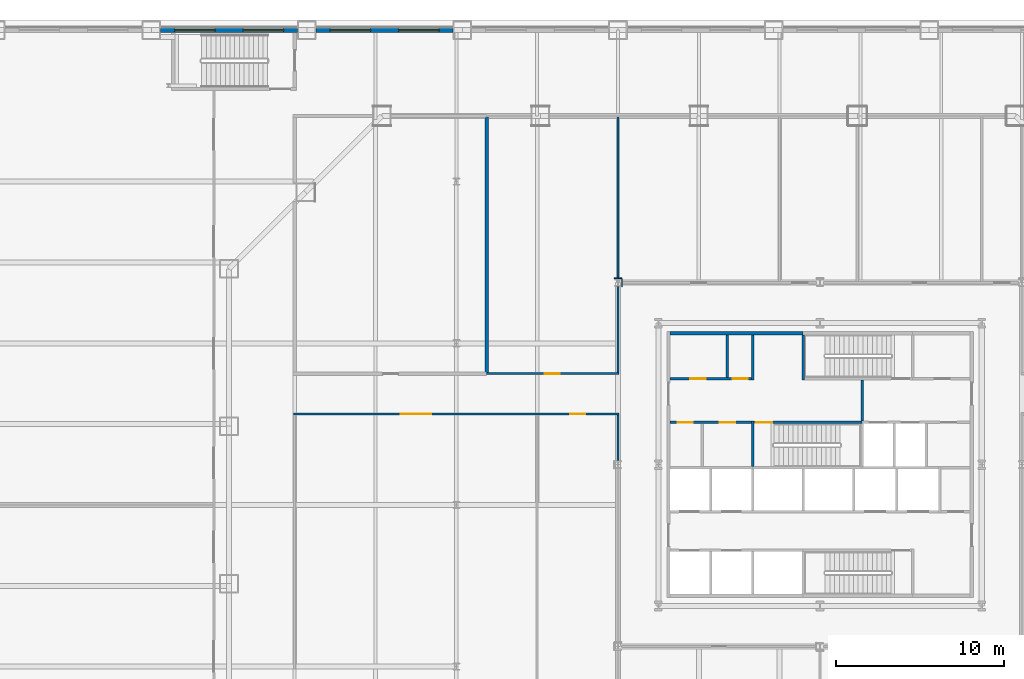
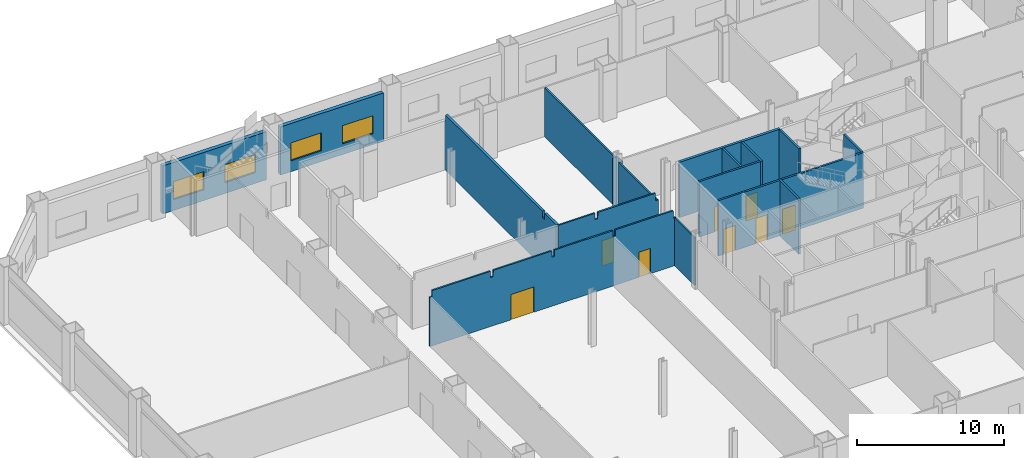
# One storey, part 15 of 26: 19 walls, 8 doors, 4 windows, 12 openings.
"""IFC4 building model written with IfcOpenShell, lengths in metres."""

from ifc_helpers import new_model, si_unit, direction, frame, frame_2d, origin, place, context, subcontext, project, spatial, polyline, rectangle, outline, extrude, material, layer, layer_set, type_object, element, fill, save


model = new_model("IFC4")

# Units and contexts
model_context = context("Model", 3, precision=1e-05, world=origin(), true_north=direction((0.0, 1.0)))
body_context = subcontext(model_context, "Body", "Model", "MODEL_VIEW")
ifc_project = project(units=[si_unit("LENGTHUNIT", "METRE"), si_unit("AREAUNIT", "SQUARE_METRE"), si_unit("VOLUMEUNIT", "CUBIC_METRE"), si_unit("PLANEANGLEUNIT", "RADIAN"), si_unit("MASSUNIT", "GRAM", prefix="KILO")], contexts=[model_context])

# Site, building, storey
site_placement = place(None, origin())
site = spatial("IfcSite", under=ifc_project, at=site_placement, CompositionType="ELEMENT")
building_placement = place(site_placement, origin())
building = spatial("IfcBuilding", under=site, at=building_placement, Name="Cairn Pilgrim Tower", CompositionType="ELEMENT")
storey_placement = place(building_placement, frame((0.0, 0.0, 21.0)))
storey = spatial("IfcBuildingStorey", under=building, at=storey_placement, Name="L03", CompositionType="ELEMENT", Elevation=21.0)

# Wall
ifc_material_1 = material(Name="Concrete C32/40", Category="concrete")
ifc_layer_1 = layer(ifc_material_1, 0.199951171875)
ifc_layer_set_1 = layer_set([ifc_layer_1], Name="CORE OUTER WALL 200 EI 120")
wall_type_1 = type_object("IfcWallType", Name="CORE OUTER WALL 200 EI 120", PredefinedType="SOLIDWALL", material=ifc_layer_set_1)
wall_1_placement = place(storey_placement, frame((-1.699951171875, 10.199951171875, 0.0), z_axis=(0.0, 0.0, 1.0), x_axis=(1.0, 0.0, 0.0)))
element("IfcWall", 1, at=wall_1_placement, inside=storey, type_object=wall_type_1, Name="CW:L03:H11-1", PredefinedType="SOLIDWALL", context=body_context, shape_type="SweptSolid", body=[
    extrude(rectangle(XDim=7.89990234375, YDim=0.199951171875, at=frame_2d((3.949951171875, 0.0))), origin(), (0.0, 0.0, 1.0), 4.60009765625),
])

# Wall, openings, doors
ifc_layer_2 = layer(ifc_material_1, 0.14990234375)
ifc_layer_set_2 = layer_set([ifc_layer_2], Name="CORE PARTITION 150 EI 60")
wall_type_2 = type_object("IfcWallType", Name="CORE PARTITION 150 EI 60", PredefinedType="PARTITIONING", material=ifc_layer_set_2)
wall_2_placement = place(storey_placement, frame((-1.699951171875, 4.89990234375, 0.0), z_axis=(0.0, 0.0, 1.0), x_axis=(1.0, 0.0, 0.0)))
wall_2 = element("IfcWall", 2, at=wall_2_placement, inside=storey, type_object=wall_type_2, Name="CW:L03:H07", PredefinedType="PARTITIONING", context=body_context, shape_type="SweptSolid", body=[
    extrude(rectangle(XDim=4.824951171875, YDim=0.14990234375, at=frame_2d((2.41259765625, 0.0))), origin(), (0.0, 0.0, 1.0), 4.60009765625),
])
opening_1_placement = place(wall_2_placement, frame((0.449951171875, 0.0, 0.0)))
opening_1 = element("IfcOpeningElement", 3, at=opening_1_placement, cuts=wall_2, Name="Opening RD-R3W1", PredefinedType="OPENING", context=body_context, shape_type="SweptSolid", body=[
    extrude(rectangle(XDim=0.89990234375, YDim=2.10009765625, at=frame_2d((0.449951171875, 1.050048828125))), frame((0.0, 0.0849609375, 0.0), z_axis=(0.0, -1.0, 0.0), x_axis=(1.0, 0.0, 0.0)), (0.0, 0.0, 1.0), 0.169921875),
])
opening_2_placement = place(wall_2_placement, frame((2.949951171875, 0.0, 0.0)))
opening_2 = element("IfcOpeningElement", 4, at=opening_2_placement, cuts=wall_2, Name="Opening RD-R3W2", PredefinedType="OPENING", context=body_context, shape_type="SweptSolid", body=[
    extrude(rectangle(XDim=0.89990234375, YDim=2.10009765625, at=frame_2d((0.449951171875, 1.050048828125))), frame((0.0, 0.0849609375, 0.0), z_axis=(0.0, -1.0, 0.0), x_axis=(1.0, 0.0, 0.0)), (0.0, 0.0, 1.0), 0.169921875),
])
ifc_material_2 = material(Name="Painted steel", Category="steel")
door_type_1 = type_object("IfcDoorType", Name="SERVICE ROOM DOOR 900x2100", OperationType="SINGLE_SWING_LEFT", PredefinedType="DOOR", material=ifc_material_2)
door_1_placement = place(opening_1_placement, origin())
door_1 = element("IfcDoor", 5, at=door_1_placement, inside=storey, type_object=door_type_1, Name="RD-R3W1", OperationType="SINGLE_SWING_LEFT", OverallHeight=2.10009765625, OverallWidth=0.89990234375, PredefinedType="DOOR", context=body_context, shape_type="SweptSolid", body=[
    extrude(rectangle(XDim=0.89990234375, YDim=2.10009765625, at=frame_2d((0.449951171875, 1.050048828125))), frame((0.0, 0.02490234375, 0.0), z_axis=(0.0, -1.0, 0.0), x_axis=(1.0, 0.0, 0.0)), (0.0, 0.0, 1.0), 0.050048828125),
])
fill(opening_1, door_1)
door_2_placement = place(opening_2_placement, origin())
door_2 = element("IfcDoor", 6, at=door_2_placement, inside=storey, type_object=door_type_1, Name="RD-R3W2", OperationType="SINGLE_SWING_RIGHT", OverallHeight=2.10009765625, OverallWidth=0.89990234375, PredefinedType="DOOR", context=body_context, shape_type="SweptSolid", body=[
    extrude(rectangle(XDim=0.89990234375, YDim=2.10009765625, at=frame_2d((0.449951171875, 1.050048828125))), frame((0.0, 0.02490234375, 0.0), z_axis=(0.0, -1.0, 0.0), x_axis=(1.0, 0.0, 0.0)), (0.0, 0.0, 1.0), 0.050048828125),
])
fill(opening_2, door_2)

wall_3_placement = place(storey_placement, frame((-1.699951171875, 7.5, 0.0), z_axis=(0.0, 0.0, 1.0), x_axis=(1.0, 0.0, 0.0)))
wall_3 = element("IfcWall", 7, at=wall_3_placement, inside=storey, type_object=wall_type_2, Name="CW:L03:H09", PredefinedType="PARTITIONING", context=body_context, shape_type="SweptSolid", body=[
    extrude(rectangle(XDim=4.824951171875, YDim=0.14990234375, at=frame_2d((2.41259765625, 0.0))), origin(), (0.0, 0.0, 1.0), 4.60009765625),
])
opening_3_placement = place(wall_3_placement, frame((1.199951171875, 0.0, 0.0)))
opening_3 = element("IfcOpeningElement", 8, at=opening_3_placement, cuts=wall_3, Name="Opening RD-R4W1", PredefinedType="OPENING", context=body_context, shape_type="SweptSolid", body=[
    extrude(rectangle(XDim=0.89990234375, YDim=2.10009765625, at=frame_2d((0.449951171875, 1.050048828125))), frame((0.0, 0.0849609375, 0.0), z_axis=(0.0, -1.0, 0.0), x_axis=(1.0, 0.0, 0.0)), (0.0, 0.0, 1.0), 0.169921875),
])
opening_4_placement = place(wall_3_placement, frame((3.699951171875, 0.0, 0.0)))
opening_4 = element("IfcOpeningElement", 9, at=opening_4_placement, cuts=wall_3, Name="Opening RD-R4W2", PredefinedType="OPENING", context=body_context, shape_type="SweptSolid", body=[
    extrude(rectangle(XDim=0.89990234375, YDim=2.10009765625, at=frame_2d((0.449951171875, 1.050048828125))), frame((0.0, 0.0849609375, 0.0), z_axis=(0.0, -1.0, 0.0), x_axis=(1.0, 0.0, 0.0)), (0.0, 0.0, 1.0), 0.169921875),
])
door_3_placement = place(opening_3_placement, origin())
door_3 = element("IfcDoor", 10, at=door_3_placement, inside=storey, type_object=door_type_1, Name="RD-R4W1", OperationType="SINGLE_SWING_LEFT", OverallHeight=2.10009765625, OverallWidth=0.89990234375, PredefinedType="DOOR", context=body_context, shape_type="SweptSolid", body=[
    extrude(rectangle(XDim=0.89990234375, YDim=2.10009765625, at=frame_2d((0.449951171875, 1.050048828125))), frame((0.0, 0.02490234375, 0.0), z_axis=(0.0, -1.0, 0.0), x_axis=(1.0, 0.0, 0.0)), (0.0, 0.0, 1.0), 0.050048828125),
])
fill(opening_3, door_3)
door_4_placement = place(opening_4_placement, origin())
door_4 = element("IfcDoor", 11, at=door_4_placement, inside=storey, type_object=door_type_1, Name="RD-R4W2", OperationType="SINGLE_SWING_RIGHT", OverallHeight=2.10009765625, OverallWidth=0.89990234375, PredefinedType="DOOR", context=body_context, shape_type="SweptSolid", body=[
    extrude(rectangle(XDim=0.89990234375, YDim=2.10009765625, at=frame_2d((0.449951171875, 1.050048828125))), frame((0.0, 0.02490234375, 0.0), z_axis=(0.0, -1.0, 0.0), x_axis=(1.0, 0.0, 0.0)), (0.0, 0.0, 1.0), 0.050048828125),
])
fill(opening_4, door_4)

# Walls
wall_4_placement = place(storey_placement, frame((1.699951171875, 7.574951171875, 0.0), z_axis=(0.0, 0.0, 1.0), x_axis=(0.0, 1.0, 0.0)))
element("IfcWall", 12, at=wall_4_placement, inside=storey, type_object=wall_type_2, Name="CW:L03:V16", PredefinedType="PARTITIONING", context=body_context, shape_type="SweptSolid", body=[
    extrude(rectangle(XDim=2.525146484375, YDim=0.14990234375, at=frame_2d((1.2626953125, 0.0))), origin(), (0.0, 0.0, 1.0), 4.60009765625),
])
wall_5_placement = place(storey_placement, frame((3.199951171875, 7.425048828125, 0.0), z_axis=(0.0, 0.0, 1.0), x_axis=(0.0, 1.0, 0.0)))
element("IfcWall", 13, at=wall_5_placement, inside=storey, type_object=wall_type_2, Name="CW:L03:V20", PredefinedType="PARTITIONING", context=body_context, shape_type="SweptSolid", body=[
    extrude(rectangle(XDim=2.675048828125, YDim=0.14990234375, at=frame_2d((1.33740234375, 0.0))), origin(), (0.0, 0.0, 1.0), 4.60009765625),
])
ifc_layer_3 = layer(ifc_material_1, 0.14990234375)
ifc_layer_set_3 = layer_set([ifc_layer_3], Name="CORE SHAFT WALL 150 EI 120")
wall_type_3 = type_object("IfcWallType", Name="CORE SHAFT WALL 150 EI 120", PredefinedType="SOLIDWALL", material=ifc_layer_set_3)
wall_6_placement = place(storey_placement, frame((9.699951171875, 4.97509765625, 0.0), z_axis=(0.0, 0.0, 1.0), x_axis=(0.0, 1.0, 0.0)))
element("IfcWall", 14, at=wall_6_placement, inside=storey, type_object=wall_type_3, Name="CW:L03:V26", PredefinedType="SOLIDWALL", context=body_context, shape_type="SweptSolid", body=[
    extrude(rectangle(XDim=2.449951171875, YDim=0.14990234375, at=frame_2d((1.22509765625, 0.0))), origin(), (0.0, 0.0, 1.0), 4.60009765625),
])
ifc_material_3 = material(Name="Gypsum partition")
ifc_layer_4 = layer(ifc_material_3, 0.125)
ifc_layer_set_4 = layer_set([ifc_layer_4], Name="PARTITION 125 DRYWALL EI 60")
wall_type_4 = type_object("IfcWallType", Name="PARTITION 125 DRYWALL EI 60", PredefinedType="PARTITIONING", material=ifc_layer_set_4)
wall_7_placement = place(storey_placement, frame((-4.800048828125, 2.636962890625, 0.0), z_axis=(0.0, 0.0, 1.0), x_axis=(0.0, 1.0, 0.0)))
element("IfcWall", 15, at=wall_7_placement, inside=storey, type_object=wall_type_4, Name="PARTITION W037", PredefinedType="PARTITIONING", context=body_context, shape_type="SweptSolid", body=[
    extrude(rectangle(XDim=2.700439453125, YDim=0.125, at=frame_2d((1.35009765625, 0.0))), origin(), (0.0, 0.0, 1.0), 3.97998046875),
])

# Wall, openings, doors
wall_8_placement = place(storey_placement, frame((-24.0625, 5.39990234375, 0.0), z_axis=(0.0, 0.0, 1.0), x_axis=(1.0, 0.0, 0.0)))
wall_8 = element("IfcWall", 16, at=wall_8_placement, inside=storey, type_object=wall_type_4, Name="PARTITION W043", PredefinedType="PARTITIONING", context=body_context, shape_type="SweptSolid", body=[
    extrude(outline(polyline([(0.0, 0.0), (19.324951171875, 0.0), (19.324951171875, 3.97998046875), (19.112548828125, 3.97998046875), (19.110595703125, 4.60009765625), (14.5625, 4.60009765625), (14.560546875, 4.080078125), (14.362548828125, 4.080078125), (14.360595703125, 4.60009765625), (9.762451171875, 4.60009765625), (9.760498046875, 4.080078125), (9.5625, 4.080078125), (9.560546875, 4.60009765625), (4.96240234375, 4.60009765625), (4.96044921875, 4.080078125), (4.762451171875, 4.080078125), (4.760498046875, 4.60009765625), (0.16259765625, 4.60009765625), (0.160400390625, 4.080078125), (0.0, 4.080078125), (0.0, 0.0)])), frame((0.0, 0.0625, 0.0), z_axis=(0.0, -1.0, 0.0), x_axis=(1.0, 0.0, 0.0)), (0.0, 0.0, 1.0), 0.125),
])
opening_5_placement = place(wall_8_placement, frame((6.362548828125, 0.0, 0.0)))
opening_5 = element("IfcOpeningElement", 17, at=opening_5_placement, cuts=wall_8, Name="Opening 0303", PredefinedType="OPENING", context=body_context, shape_type="SweptSolid", body=[
    extrude(rectangle(XDim=1.800048828125, YDim=2.10009765625, at=frame_2d((0.89990234375, 1.050048828125))), frame((0.0, 0.072509765625, 0.0), z_axis=(0.0, -1.0, 0.0), x_axis=(1.0, 0.0, 0.0)), (0.0, 0.0, 1.0), 0.14501953125),
])
opening_6_placement = place(wall_8_placement, frame((16.41259765625, 0.0, 0.0)))
opening_6 = element("IfcOpeningElement", 18, at=opening_6_placement, cuts=wall_8, Name="Opening 0304", PredefinedType="OPENING", context=body_context, shape_type="SweptSolid", body=[
    extrude(rectangle(XDim=0.89990234375, YDim=2.10009765625, at=frame_2d((0.449951171875, 1.050048828125))), frame((0.0, 0.072509765625, 0.0), z_axis=(0.0, -1.0, 0.0), x_axis=(1.0, 0.0, 0.0)), (0.0, 0.0, 1.0), 0.14501953125),
])
ifc_material_4 = material(Name="Timber door leaf", Category="wood")
door_type_2 = type_object("IfcDoorType", Name="DOOR PAIR 1800x2100 FD60S", OperationType="NOTDEFINED", PredefinedType="DOOR", material=ifc_material_4)
door_5_placement = place(opening_5_placement, origin())
door_5 = element("IfcDoor", 19, at=door_5_placement, inside=storey, type_object=door_type_2, Name="DOOR 0303", OperationType="DOUBLE_DOOR_SINGLE_SWING", OverallHeight=2.10009765625, OverallWidth=1.800048828125, PredefinedType="DOOR", context=body_context, shape_type="SweptSolid", body=[
    extrude(rectangle(XDim=1.800048828125, YDim=2.10009765625, at=frame_2d((0.89990234375, 1.050048828125))), frame((0.0, 0.02490234375, 0.0), z_axis=(0.0, -1.0, 0.0), x_axis=(1.0, 0.0, 0.0)), (0.0, 0.0, 1.0), 0.050048828125),
])
fill(opening_5, door_5)
door_type_3 = type_object("IfcDoorType", Name="SERVICE DOOR 900x2100 FD30S", OperationType="NOTDEFINED", PredefinedType="DOOR", material=ifc_material_4)
door_6_placement = place(opening_6_placement, origin())
door_6 = element("IfcDoor", 20, at=door_6_placement, inside=storey, type_object=door_type_3, Name="DOOR 0304", OperationType="SINGLE_SWING_RIGHT", OverallHeight=2.10009765625, OverallWidth=0.89990234375, PredefinedType="DOOR", context=body_context, shape_type="SweptSolid", body=[
    extrude(rectangle(XDim=0.89990234375, YDim=2.10009765625, at=frame_2d((0.449951171875, 1.050048828125))), frame((0.0, 0.02490234375, 0.0), z_axis=(0.0, -1.0, 0.0), x_axis=(1.0, 0.0, 0.0)), (0.0, 0.0, 1.0), 0.050048828125),
])
fill(opening_6, door_6)

# Wall, opening, door
wall_9_placement = place(storey_placement, frame((-12.60009765625, 7.800048828125, 0.0), z_axis=(0.0, 0.0, 1.0), x_axis=(1.0, 0.0, 0.0)))
wall_9 = element("IfcWall", 21, at=wall_9_placement, inside=storey, type_object=wall_type_4, Name="PARTITION W046", PredefinedType="PARTITIONING", context=body_context, shape_type="SweptSolid", body=[
    extrude(outline(polyline([(0.0, 0.0), (7.862548828125, 0.0), (7.862548828125, 3.97998046875), (7.64990234375, 3.97998046875), (7.64794921875, 4.60009765625), (3.10009765625, 4.60009765625), (3.097900390625, 4.080078125), (2.89990234375, 4.080078125), (2.89794921875, 4.60009765625), (0.0, 4.60009765625), (0.0, 0.0)])), frame((0.0, 0.0625, 0.0), z_axis=(0.0, -1.0, 0.0), x_axis=(1.0, 0.0, 0.0)), (0.0, 0.0, 1.0), 0.125),
])
opening_7_placement = place(wall_9_placement, frame((3.449951171875, 0.0, 0.0)))
opening_7 = element("IfcOpeningElement", 22, at=opening_7_placement, cuts=wall_9, Name="Opening 0302", PredefinedType="OPENING", context=body_context, shape_type="SweptSolid", body=[
    extrude(rectangle(XDim=0.89990234375, YDim=2.10009765625, at=frame_2d((0.449951171875, 1.050048828125))), frame((0.0, 0.072509765625, 0.0), z_axis=(0.0, -1.0, 0.0), x_axis=(1.0, 0.0, 0.0)), (0.0, 0.0, 1.0), 0.14501953125),
])
door_7_placement = place(opening_7_placement, frame((0.89990234375, 0.0, 0.0), z_axis=(0.0, 0.0, 1.0), x_axis=(-1.0, 0.0, 0.0)))
door_7 = element("IfcDoor", 23, at=door_7_placement, inside=storey, type_object=door_type_3, Name="DOOR 0302", OperationType="SINGLE_SWING_LEFT", OverallHeight=2.10009765625, OverallWidth=0.89990234375, PredefinedType="DOOR", context=body_context, shape_type="SweptSolid", body=[
    extrude(rectangle(XDim=0.89990234375, YDim=2.10009765625, at=frame_2d((0.449951171875, 1.050048828125))), frame((0.0, 0.02490234375, 0.0), z_axis=(0.0, -1.0, 0.0), x_axis=(1.0, 0.0, 0.0)), (0.0, 0.0, 1.0), 0.050048828125),
])
fill(opening_7, door_7)

# Walls
wall_10_placement = place(storey_placement, frame((-4.800048828125, 7.862548828125, 0.0), z_axis=(0.0, 0.0, 1.0), x_axis=(0.0, 1.0, 0.0)))
element("IfcWall", 24, at=wall_10_placement, inside=storey, type_object=wall_type_4, Name="PARTITION W050", PredefinedType="PARTITIONING", context=body_context, shape_type="SweptSolid", body=[
    extrude(rectangle(XDim=5.100341796875, YDim=0.125, at=frame_2d((2.55029296875, 0.0))), origin(), (0.0, 0.0, 1.0), 3.97998046875),
])
wall_11_placement = place(storey_placement, frame((-4.800048828125, 13.43701171875, 0.0), z_axis=(0.0, 0.0, 1.0), x_axis=(0.0, 1.0, 0.0)))
element("IfcWall", 25, at=wall_11_placement, inside=storey, type_object=wall_type_4, Name="PARTITION W060", PredefinedType="PARTITIONING", context=body_context, shape_type="SweptSolid", body=[
    extrude(rectangle(XDim=9.6005859375, YDim=0.125, at=frame_2d((4.80029296875, 0.0))), origin(), (0.0, 0.0, 1.0), 4.080078125),
])
ifc_layer_5 = layer(ifc_material_3, 0.050048828125)
ifc_layer_set_5 = layer_set([ifc_layer_5], Name="PARTITION 50 DRYWALL EI 60")
wall_type_5 = type_object("IfcWallType", Name="PARTITION 50 DRYWALL EI 60", PredefinedType="PARTITIONING", material=ifc_layer_set_5)
wall_12_placement = place(storey_placement, frame((-4.56298828125, 12.962890625, 0.0), z_axis=(0.0, 0.0, 1.0), x_axis=(0.0, 1.0, 0.0)))
element("IfcWall", 26, at=wall_12_placement, inside=storey, type_object=wall_type_5, Name="COLUMN CASING WC29", PredefinedType="PARTITIONING", context=body_context, shape_type="SweptSolid", body=[
    extrude(rectangle(XDim=0.47412109375, YDim=0.050048828125, at=frame_2d((0.237060546875, 0.0))), origin(), (0.0, 0.0, 1.0), 3.97998046875),
])
wall_13_placement = place(storey_placement, frame((-5.011962890625, 13.4619140625, 0.0), z_axis=(0.0, 0.0, 1.0), x_axis=(1.0, 0.0, 0.0)))
element("IfcWall", 27, at=wall_13_placement, inside=storey, type_object=wall_type_5, Name="COLUMN CASING WC33", PredefinedType="PARTITIONING", context=body_context, shape_type="SweptSolid", body=[
    extrude(rectangle(XDim=0.424072265625, YDim=0.050048828125, at=frame_2d((0.2119140625, 0.0))), origin(), (0.0, 0.0, 1.0), 4.080078125),
])

# Wall, openings, windows
ifc_material_5 = material(Name="Concrete C35/45 backup wall with bronze aluminium cladding", Category="concrete")
ifc_layer_6 = layer(ifc_material_5, 0.300048828125)
ifc_layer_set_6 = layer_set([ifc_layer_6], Name="PODIUM WALL 300 BRONZE-CLAD")
wall_type_6 = type_object("IfcWallType", Name="PODIUM WALL 300 BRONZE-CLAD", PredefinedType="SOLIDWALL", material=ifc_layer_set_6)
wall_14_placement = place(storey_placement, frame((-14.587890625, 28.199951171875, 0.0), z_axis=(0.0, 0.0, 1.0), x_axis=(-1.0, 0.0, 0.0)))
wall_14 = element("IfcWall", 28, at=wall_14_placement, inside=storey, type_object=wall_type_6, Name="PODIUM EXTERNAL WALL N6-N7", PredefinedType="SOLIDWALL", context=body_context, shape_type="SweptSolid", body=[
    extrude(rectangle(XDim=8.1376953125, YDim=0.300048828125, at=frame_2d((4.06884765625, 0.0))), origin(), (0.0, 0.0, 1.0), 4.0),
])
opening_8_placement = place(wall_14_placement, frame((0.83447265625, 0.0, 0.89990234375)))
opening_8 = element("IfcOpeningElement", 29, at=opening_8_placement, cuts=wall_14, Name="Opening PW15", PredefinedType="OPENING", context=body_context, shape_type="SweptSolid", body=[
    extrude(rectangle(XDim=2.39990234375, YDim=1.5, at=frame_2d((1.199951171875, 0.75))), frame((0.0, 0.16015625, 0.0), z_axis=(0.0, -1.0, 0.0), x_axis=(1.0, 0.0, 0.0)), (0.0, 0.0, 1.0), 0.320068359375),
])
opening_9_placement = place(wall_14_placement, frame((4.9033203125, 0.0, 0.89990234375)))
opening_9 = element("IfcOpeningElement", 30, at=opening_9_placement, cuts=wall_14, Name="Opening PW15", PredefinedType="OPENING", context=body_context, shape_type="SweptSolid", body=[
    extrude(rectangle(XDim=2.39990234375, YDim=1.5, at=frame_2d((1.199951171875, 0.75))), frame((0.0, 0.16015625, 0.0), z_axis=(0.0, -1.0, 0.0), x_axis=(1.0, 0.0, 0.0)), (0.0, 0.0, 1.0), 0.320068359375),
])
ifc_material_6 = material(Name="Bronze anodised aluminium frame with tinted low-E glass", Category="aluminium")
window_type = type_object("IfcWindowType", Name="PODIUM FIXED WINDOW 2400x1500", PartitioningType="SINGLE_PANEL", PredefinedType="WINDOW", material=ifc_material_6)
window_1_placement = place(opening_8_placement, origin())
window_1 = element("IfcWindow", 31, at=window_1_placement, inside=storey, type_object=window_type, Name="PODIUM WINDOW", OverallHeight=1.5, OverallWidth=2.39990234375, PartitioningType="SINGLE_PANEL", PredefinedType="WINDOW", context=body_context, shape_type="SweptSolid", body=[
    extrude(rectangle(XDim=2.39990234375, YDim=1.5, at=frame_2d((1.199951171875, 0.75))), frame((0.0, 0.030029296875, 0.0), z_axis=(0.0, -1.0, 0.0), x_axis=(1.0, 0.0, 0.0)), (0.0, 0.0, 1.0), 0.06005859375),
])
fill(opening_8, window_1)
window_2_placement = place(opening_9_placement, origin())
window_2 = element("IfcWindow", 32, at=window_2_placement, inside=storey, type_object=window_type, Name="PODIUM WINDOW", OverallHeight=1.5, OverallWidth=2.39990234375, PartitioningType="SINGLE_PANEL", PredefinedType="WINDOW", context=body_context, shape_type="SweptSolid", body=[
    extrude(rectangle(XDim=2.39990234375, YDim=1.5, at=frame_2d((1.199951171875, 0.75))), frame((0.0, 0.030029296875, 0.0), z_axis=(0.0, -1.0, 0.0), x_axis=(1.0, 0.0, 0.0)), (0.0, 0.0, 1.0), 0.06005859375),
])
fill(opening_9, window_2)

wall_15_placement = place(storey_placement, frame((-23.82568359375, 28.199951171875, 0.0), z_axis=(0.0, 0.0, 1.0), x_axis=(-1.0, 0.0, 0.0)))
wall_15 = element("IfcWall", 33, at=wall_15_placement, inside=storey, type_object=wall_type_6, Name="PODIUM EXTERNAL WALL N7-N8", PredefinedType="SOLIDWALL", context=body_context, shape_type="SweptSolid", body=[
    extrude(rectangle(XDim=8.137939453125, YDim=0.300048828125, at=frame_2d((4.06884765625, 0.0))), origin(), (0.0, 0.0, 1.0), 4.0),
])
opening_10_placement = place(wall_15_placement, frame((0.83447265625, 0.0, 0.89990234375)))
opening_10 = element("IfcOpeningElement", 34, at=opening_10_placement, cuts=wall_15, Name="Opening PW15", PredefinedType="OPENING", context=body_context, shape_type="SweptSolid", body=[
    extrude(rectangle(XDim=2.39990234375, YDim=1.5, at=frame_2d((1.199951171875, 0.75))), frame((0.0, 0.16015625, 0.0), z_axis=(0.0, -1.0, 0.0), x_axis=(1.0, 0.0, 0.0)), (0.0, 0.0, 1.0), 0.320068359375),
])
opening_11_placement = place(wall_15_placement, frame((4.9033203125, 0.0, 0.89990234375)))
opening_11 = element("IfcOpeningElement", 35, at=opening_11_placement, cuts=wall_15, Name="Opening PW15", PredefinedType="OPENING", context=body_context, shape_type="SweptSolid", body=[
    extrude(rectangle(XDim=2.39990234375, YDim=1.5, at=frame_2d((1.199951171875, 0.75))), frame((0.0, 0.16015625, 0.0), z_axis=(0.0, -1.0, 0.0), x_axis=(1.0, 0.0, 0.0)), (0.0, 0.0, 1.0), 0.320068359375),
])
window_3_placement = place(opening_10_placement, origin())
window_3 = element("IfcWindow", 36, at=window_3_placement, inside=storey, type_object=window_type, Name="PODIUM WINDOW", OverallHeight=1.5, OverallWidth=2.39990234375, PartitioningType="SINGLE_PANEL", PredefinedType="WINDOW", context=body_context, shape_type="SweptSolid", body=[
    extrude(rectangle(XDim=2.39990234375, YDim=1.5, at=frame_2d((1.199951171875, 0.75))), frame((0.0, 0.030029296875, 0.0), z_axis=(0.0, -1.0, 0.0), x_axis=(1.0, 0.0, 0.0)), (0.0, 0.0, 1.0), 0.06005859375),
])
fill(opening_10, window_3)
window_4_placement = place(opening_11_placement, origin())
window_4 = element("IfcWindow", 37, at=window_4_placement, inside=storey, type_object=window_type, Name="PODIUM WINDOW", OverallHeight=1.5, OverallWidth=2.39990234375, PartitioningType="SINGLE_PANEL", PredefinedType="WINDOW", context=body_context, shape_type="SweptSolid", body=[
    extrude(rectangle(XDim=2.39990234375, YDim=1.5, at=frame_2d((1.199951171875, 0.75))), frame((0.0, 0.030029296875, 0.0), z_axis=(0.0, -1.0, 0.0), x_axis=(1.0, 0.0, 0.0)), (0.0, 0.0, 1.0), 0.06005859375),
])
fill(opening_11, window_4)

# Wall
ifc_layer_7 = layer(ifc_material_3, 0.199951171875)
ifc_layer_set_7 = layer_set([ifc_layer_7], Name="SHAFT WALL 200 GYPSUM EI 120")
wall_type_7 = type_object("IfcWallType", Name="SHAFT WALL 200 GYPSUM EI 120", PredefinedType="PARTITIONING", material=ifc_layer_set_7)
wall_16_placement = place(storey_placement, frame((-12.60009765625, 7.862548828125, 0.0), z_axis=(0.0, 0.0, 1.0), x_axis=(0.0, 1.0, 0.0)))
element("IfcWall", 38, at=wall_16_placement, inside=storey, type_object=wall_type_7, Name="PARTITION W049", PredefinedType="PARTITIONING", context=body_context, shape_type="SweptSolid", body=[
    extrude(outline(polyline([(0.0, 0.0), (15.175048828125, 0.0), (15.175048828125, 4.080078125), (15.08740234375, 4.080078125), (15.08544921875, 4.60009765625), (1.887451171875, 4.60009765625), (1.885498046875, 4.080078125), (1.58740234375, 4.080078125), (1.58544921875, 4.60009765625), (0.0, 4.60009765625), (0.0, 0.0)])), frame((0.0, 0.10009765625, 0.0), z_axis=(0.0, -1.0, 0.0), x_axis=(1.0, 0.0, 0.0)), (0.0, 0.0, 1.0), 0.199951171875),
])

# Wall, opening, door
ifc_material_7 = material(Name="Concrete C35/45", Category="concrete")
ifc_layer_8 = layer(ifc_material_7, 0.14990234375)
ifc_layer_set_8 = layer_set([ifc_layer_8], Name="STAIR SHAFT WALL 150 EI 120")
wall_type_8 = type_object("IfcWallType", Name="STAIR SHAFT WALL 150 EI 120", PredefinedType="SOLIDWALL", material=ifc_layer_set_8)
wall_17_placement = place(storey_placement, frame((3.27490234375, 4.89990234375, 0.0), z_axis=(0.0, 0.0, 1.0), x_axis=(1.0, 0.0, 0.0)))
wall_17 = element("IfcWall", 39, at=wall_17_placement, inside=storey, type_object=wall_type_8, Name="CW:L03:H08-1", PredefinedType="SOLIDWALL", context=body_context, shape_type="SweptSolid", body=[
    extrude(rectangle(XDim=6.425048828125, YDim=0.14990234375, at=frame_2d((3.21240234375, 0.0))), origin(), (0.0, 0.0, 1.0), 4.60009765625),
])
opening_12_placement = place(wall_17_placement, frame((0.10009765625, 0.0, 0.0)))
opening_12 = element("IfcOpeningElement", 40, at=opening_12_placement, cuts=wall_17, Name="Opening SD-B", PredefinedType="OPENING", context=body_context, shape_type="SweptSolid", body=[
    extrude(rectangle(XDim=1.0, YDim=2.10009765625, at=frame_2d((0.5, 1.050048828125))), frame((0.0, 0.0849609375, 0.0), z_axis=(0.0, -1.0, 0.0), x_axis=(1.0, 0.0, 0.0)), (0.0, 0.0, 1.0), 0.169921875),
])
door_type_4 = type_object("IfcDoorType", Name="STAIR DOOR FD60S 1000x2100", OperationType="SINGLE_SWING_LEFT", PredefinedType="DOOR", material=ifc_material_2)
door_8_placement = place(opening_12_placement, origin())
door_8 = element("IfcDoor", 41, at=door_8_placement, inside=storey, type_object=door_type_4, Name="SD-B", OperationType="SINGLE_SWING_RIGHT", OverallHeight=2.10009765625, OverallWidth=1.0, PredefinedType="DOOR", context=body_context, shape_type="SweptSolid", body=[
    extrude(rectangle(XDim=1.0, YDim=2.10009765625, at=frame_2d((0.5, 1.050048828125))), frame((0.0, 0.02490234375, 0.0), z_axis=(0.0, -1.0, 0.0), x_axis=(1.0, 0.0, 0.0)), (0.0, 0.0, 1.0), 0.050048828125),
])
fill(opening_12, door_8)

# Walls
wall_18_placement = place(storey_placement, frame((3.199951171875, 2.27490234375, 0.0), z_axis=(0.0, 0.0, 1.0), x_axis=(0.0, 1.0, 0.0)))
element("IfcWall", 42, at=wall_18_placement, inside=storey, type_object=wall_type_8, Name="CW:L03:V19", PredefinedType="SOLIDWALL", context=body_context, shape_type="SweptSolid", body=[
    extrude(rectangle(XDim=2.7001953125, YDim=0.14990234375, at=frame_2d((1.35009765625, 0.0))), origin(), (0.0, 0.0, 1.0), 4.60009765625),
])
wall_19_placement = place(storey_placement, frame((6.199951171875, 7.425048828125, 0.0), z_axis=(0.0, 0.0, 1.0), x_axis=(0.0, 1.0, 0.0)))
element("IfcWall", 43, at=wall_19_placement, inside=storey, type_object=wall_type_8, Name="CW:L03:V23", PredefinedType="SOLIDWALL", context=body_context, shape_type="SweptSolid", body=[
    extrude(rectangle(XDim=2.675048828125, YDim=0.14990234375, at=frame_2d((1.33740234375, 0.0))), origin(), (0.0, 0.0, 1.0), 4.60009765625),
])

save(model, "model.ifc")
